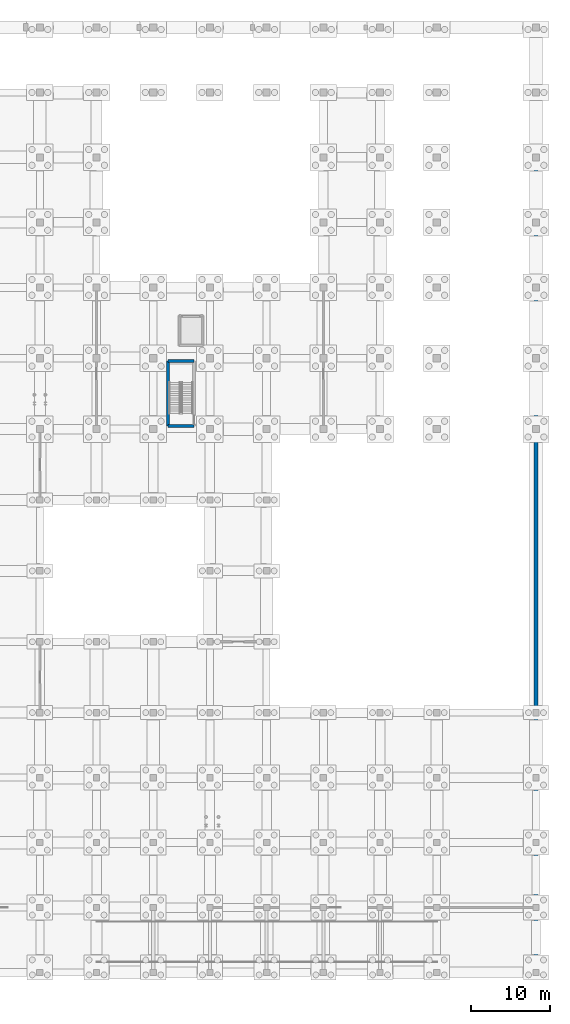
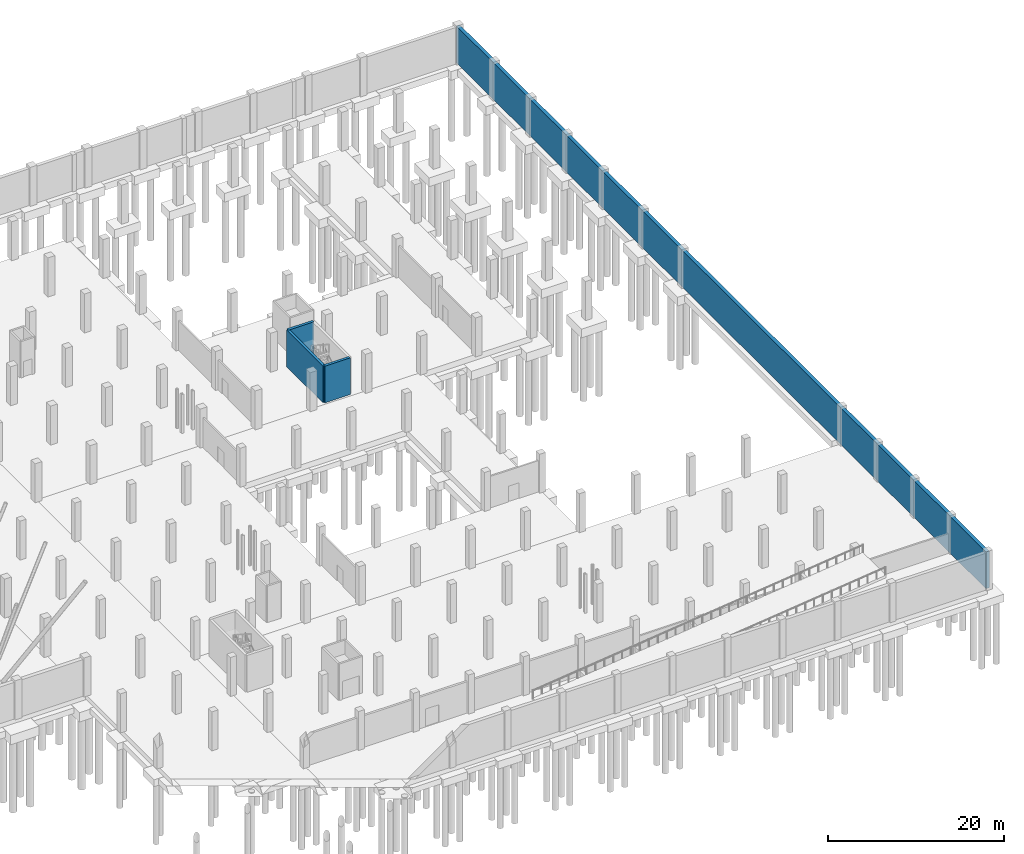
# One storey, part 31 of 42: 4 walls.
"""IFC4 building model written with IfcOpenShell, lengths in metres."""

from ifc_helpers import new_model, si_unit, direction, frame, frame_2d, origin, place, context, subcontext, project, spatial, rectangle, extrude, material, layer, layer_set, type_object, element, save


model = new_model("IFC4")

# Units and contexts
model_context = context("Model", 3, precision=1e-05, world=origin(), true_north=direction((0.0, 1.0)))
body_context = subcontext(model_context, "Body", "Model", "MODEL_VIEW")
ifc_project = project(units=[si_unit("LENGTHUNIT", "METRE"), si_unit("AREAUNIT", "SQUARE_METRE"), si_unit("VOLUMEUNIT", "CUBIC_METRE"), si_unit("PLANEANGLEUNIT", "RADIAN"), si_unit("MASSUNIT", "GRAM", prefix="KILO")], contexts=[model_context])

# Site, building, storey
site_placement = place(None, origin())
site = spatial("IfcSite", under=ifc_project, at=site_placement, CompositionType="ELEMENT")
building_placement = place(site_placement, origin())
building = spatial("IfcBuilding", under=site, at=building_placement, Name="Sundgate Opera House", CompositionType="ELEMENT")
storey_placement = place(building_placement, frame((0.0, 0.0, -5.39990234375)))
storey = spatial("IfcBuildingStorey", under=building, at=storey_placement, Name="B01", CompositionType="ELEMENT", Elevation=-5.39990234375)

# Walls
ifc_material_1 = material(Name="Concrete C40/50", Category="concrete")
ifc_layer_1 = layer(ifc_material_1, 0.35009765625)
ifc_layer_set_1 = layer_set([ifc_layer_1], Name="Concrete C40/50")
wall_type_1 = type_object("IfcWallType", Name="WL-CORE-350", PredefinedType="SHEAR", material=ifc_layer_set_1)
for number, where, z_axis, x_axis, name in (
    (1, (133.260009765625, 69.409912109375, 0.0), (0.0, 0.0, 1.0), (1.0, 0.0, 0.0), "B01 C6 South Shaft Wall"),
    (2, (133.260009765625, 77.639892578125, 0.0), (0.0, 0.0, 1.0), (1.0, 0.0, 0.0), "B01 C6 North Shaft Wall"),
):
    element("IfcWall", number, at=place(storey_placement, frame(where, z_axis=z_axis, x_axis=x_axis)), inside=storey, type_object=wall_type_1, Name=name, PredefinedType="SHEAR", context=body_context, shape_type="SweptSolid", body=[
        extrude(rectangle(XDim=3.330078125, YDim=0.35009765625, at=frame_2d((1.6650390625, 0.0))), origin(), (0.0, 0.0, 1.0), 5.079833984375),
    ])
wall_1_placement = place(storey_placement, frame((133.260009765625, 69.409912109375, 0.0), z_axis=(0.0, 0.0, 1.0), x_axis=(0.0, 1.0, 0.0)))
element("IfcWall", 3, at=wall_1_placement, inside=storey, type_object=wall_type_1, Name="B01 C6 West Shaft Wall", PredefinedType="SHEAR", context=body_context, shape_type="SweptSolid", body=[
    extrude(rectangle(XDim=8.22998046875, YDim=0.35009765625, at=frame_2d((4.114990234375, 0.0))), origin(), (0.0, 0.0, 1.0), 5.079833984375),
])
ifc_material_2 = material(Name="Concrete C35/45", Category="concrete")
ifc_layer_2 = layer(ifc_material_2, 0.449951171875)
ifc_layer_set_2 = layer_set([ifc_layer_2], Name="Concrete C35/45")
wall_type_2 = type_object("IfcWallType", Name="WL-RET-450", PredefinedType="USERDEFINED", material=ifc_layer_set_2)
wall_2_placement = place(storey_placement, frame((180.0, 0.0, 0.0), z_axis=(0.0, 0.0, 1.0), x_axis=(0.0, 1.0, 0.0)))
element("IfcWall", 4, at=wall_2_placement, inside=storey, type_object=wall_type_2, Name="B01 Perimeter Retaining Wall W0005", ObjectType="RETAINING WALL", PredefinedType="USERDEFINED", context=body_context, shape_type="SweptSolid", body=[
    extrude(rectangle(XDim=120.0, YDim=0.449951171875, at=frame_2d((60.0, 0.0))), origin(), (0.0, 0.0, 1.0), 5.079833984375),
])

save(model, "model.ifc")
